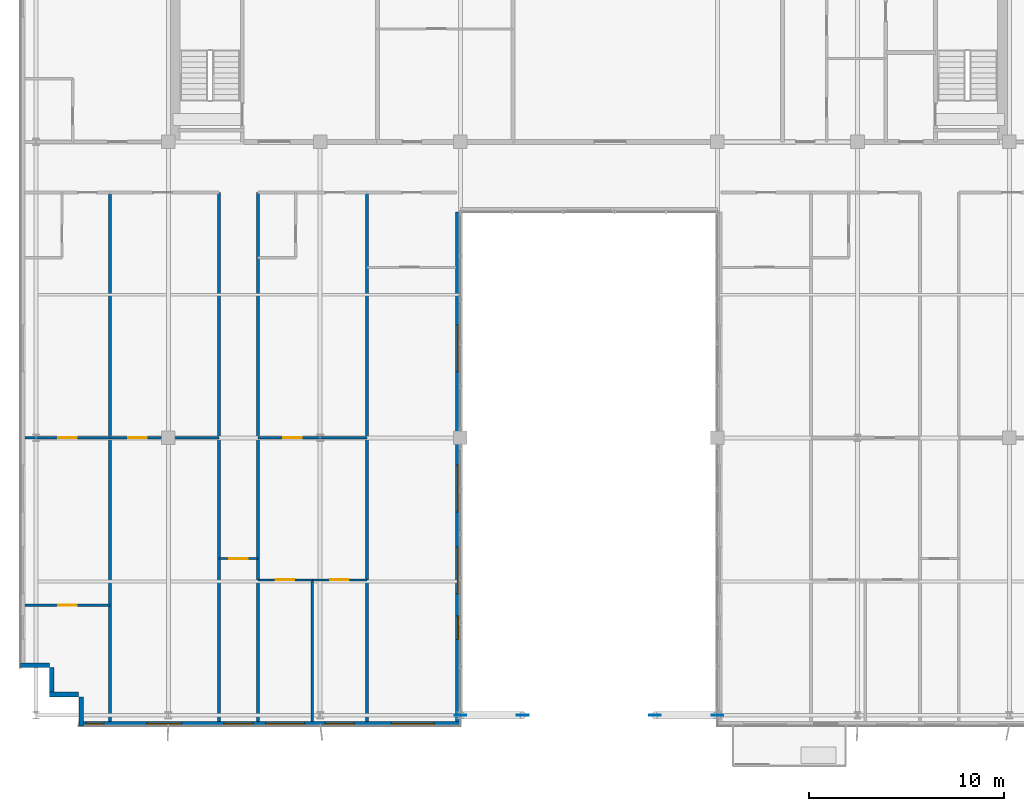
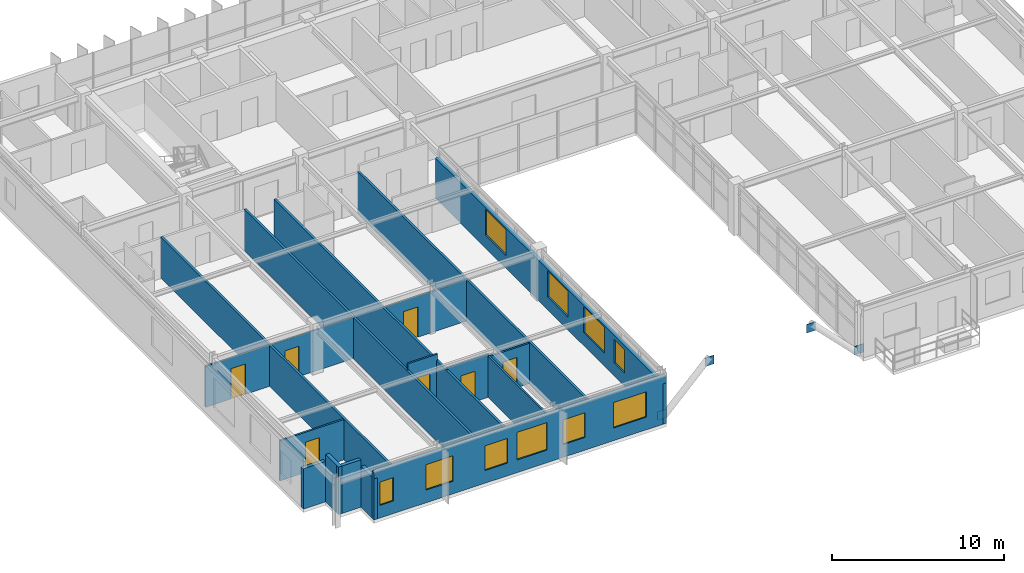
# One storey, part 27 of 34: 18 walls, 10 windows, 7 doors, 4 plates, 17 openings.
"""IFC4 building model written with IfcOpenShell, lengths in metres."""

from ifc_helpers import new_model, si_unit, direction, frame, frame_2d, origin, origin_2d, place, context, subcontext, project, spatial, rectangle, extrude, source, transform, mapped, material, layer, layer_set, type_object, element, fill, save


model = new_model("IFC4")

# Units and contexts
model_context = context("Model", 3, precision=1e-05, world=origin(), true_north=direction((0.0, 1.0)))
body_context = subcontext(model_context, "Body", "Model", "MODEL_VIEW")
ifc_project = project(units=[si_unit("LENGTHUNIT", "METRE"), si_unit("AREAUNIT", "SQUARE_METRE"), si_unit("VOLUMEUNIT", "CUBIC_METRE"), si_unit("PLANEANGLEUNIT", "RADIAN"), si_unit("MASSUNIT", "GRAM", prefix="KILO")], contexts=[model_context])

# Site, building, storey
site_placement = place(None, origin())
site = spatial("IfcSite", under=ifc_project, at=site_placement, CompositionType="ELEMENT")
building_placement = place(site_placement, origin())
building = spatial("IfcBuilding", under=site, at=building_placement, Name="Trelvane Seafront Commons", CompositionType="ELEMENT")
storey_placement = place(building_placement, frame((0.0, 0.0, 197.699951171875)))
storey = spatial("IfcBuildingStorey", under=building, at=storey_placement, Name="L51", CompositionType="ELEMENT", Elevation=197.699951171875)

# Plates
ifc_material_1 = material(Name="Steel SM355 (S355)", Category="steel")
ifc_layer_1 = layer(ifc_material_1, 0.031982421875, Name="STR-PLT-GUS2")
ifc_layer_set_1 = layer_set([ifc_layer_1], Name="Steel SM355 (S355)")
plate_type = type_object("IfcPlateType", Name="STR-PLT-GUS2", PredefinedType="SHEET", material=ifc_layer_set_1)
shared_shape_1 = source(origin(), body_context, "Body", "SweptSolid", [
    extrude(rectangle(XDim=0.60009765625, YDim=0.031982421875, at=origin_2d()), origin(), (0.0, 0.0, 1.0), 0.60009765625),
])
for number, where, z_axis, x_axis, name in (
    (1, (30.60009765625, 3.949951171875, -0.02001953125), (0.0, 0.0, 1.0), (1.0, 0.0, 0.0), "L51 Brace Connection Gusset Plate GP-111"),
    (2, (33.800048828125, 3.949951171875, 2.659912109375), (0.0, 0.0, 1.0), (1.0, 0.0, 0.0), "L51 Brace Connection Gusset Plate GP-112"),
    (3, (43.800048828125, 3.949951171875, -0.02001953125), (0.0, 0.0, 1.0), (1.0, 0.0, 0.0), "L51 Brace Connection Gusset Plate GP-113"),
    (4, (40.60009765625, 3.949951171875, 2.659912109375), (0.0, 0.0, 1.0), (1.0, 0.0, 0.0), "L51 Brace Connection Gusset Plate GP-114"),
):
    element("IfcPlate", number, at=place(storey_placement, frame(where, z_axis=z_axis, x_axis=x_axis)), inside=storey, type_object=plate_type, Name=name, PredefinedType="SHEET", context=body_context, shape_type="MappedRepresentation", body=[
        mapped(shared_shape_1, transform((0.0, 0.0, 0.0), x_axis=(1.0, 0.0, 0.0), y_axis=(0.0, 1.0, 0.0), z_axis=(0.0, 0.0, 1.0), scale=1.0)),
    ])

# Walls
ifc_material_2 = material(Name="Precast concrete C40/50", Category="concrete")
ifc_layer_2 = layer(ifc_material_2, 0.239990234375, Name="ARCH-WALL-EXT240")
ifc_layer_set_2 = layer_set([ifc_layer_2], Name="Precast concrete C40/50")
wall_type_1 = type_object("IfcWallType", Name="ARCH-WALL-EXT240", PredefinedType="SOLIDWALL", material=ifc_layer_set_2)
for number, where, z_axis, x_axis, name in (
    (5, (11.0, 5.02001953125, 0.0), (0.0, 0.0, 1.0), (-1.0, 0.0, 0.0), "EW-L51-01009"),
    (6, (9.6201171875, 4.89990234375, 0.0), (0.0, 0.0, 1.0), (0.0, 1.0, 0.0), "EW-L51-01010"),
):
    element("IfcWall", number, at=place(storey_placement, frame(where, z_axis=z_axis, x_axis=x_axis)), inside=storey, type_object=wall_type_1, Name=name, PredefinedType="SOLIDWALL", context=body_context, shape_type="SweptSolid", body=[
        extrude(rectangle(XDim=1.5, YDim=0.239990234375, at=frame_2d((0.75, 0.0))), origin(), (0.0, 0.0, 1.0), 3.360107421875),
    ])
wall_1_placement = place(storey_placement, frame((9.5, 6.52001953125, 0.0), z_axis=(0.0, 0.0, 1.0), x_axis=(-1.0, 0.0, 0.0)))
element("IfcWall", 7, at=wall_1_placement, inside=storey, type_object=wall_type_1, Name="EW-L51-01011", PredefinedType="SOLIDWALL", context=body_context, shape_type="SweptSolid", body=[
    extrude(rectangle(XDim=1.5, YDim=0.239990234375, at=frame_2d((0.75, 0.0))), origin(), (0.0, 0.0, 1.0), 2.860107421875),
])

# Wall, openings, windows
wall_2_placement = place(storey_placement, frame((30.47998046875, 29.800048828125, 0.0), z_axis=(0.0, 0.0, 1.0), x_axis=(0.0, -1.0, 0.0)))
wall_2 = element("IfcWall", 8, at=wall_2_placement, inside=storey, type_object=wall_type_1, Name="EW-L51-01029", PredefinedType="SOLIDWALL", context=body_context, shape_type="SweptSolid", body=[
    extrude(rectangle(XDim=26.400146484375, YDim=0.239990234375, at=frame_2d((13.2001953125, 0.0))), origin(), (0.0, 0.0, 1.0), 2.860107421875),
])
opening_1_placement = place(wall_2_placement, frame((20.75, 0.0, 0.919921875)))
opening_1 = element("IfcOpeningElement", 9, at=opening_1_placement, cuts=wall_2, Name="Opening W05", PredefinedType="OPENING", context=body_context, shape_type="SweptSolid", body=[
    extrude(rectangle(XDim=1.199951171875, YDim=1.64990234375, at=frame_2d((0.60009765625, 0.824951171875))), frame((0.0, 0.1298828125, 0.0), z_axis=(0.0, -1.0, 0.0), x_axis=(1.0, 0.0, 0.0)), (0.0, 0.0, 1.0), 0.260009765625),
])
opening_2_placement = place(wall_2_placement, frame((17.199951171875, 0.0, 0.919921875)))
opening_2 = element("IfcOpeningElement", 10, at=opening_2_placement, cuts=wall_2, Name="Opening W08", PredefinedType="OPENING", context=body_context, shape_type="SweptSolid", body=[
    extrude(rectangle(XDim=2.39990234375, YDim=1.840087890625, at=frame_2d((1.199951171875, 0.919921875))), frame((0.0, 0.1298828125, 0.0), z_axis=(0.0, -1.0, 0.0), x_axis=(1.0, 0.0, 0.0)), (0.0, 0.0, 1.0), 0.260009765625),
])
opening_3_placement = place(wall_2_placement, frame((13.0, 0.0, 0.919921875)))
opening_3 = element("IfcOpeningElement", 11, at=opening_3_placement, cuts=wall_2, Name="Opening W08", PredefinedType="OPENING", context=body_context, shape_type="SweptSolid", body=[
    extrude(rectangle(XDim=2.39990234375, YDim=1.840087890625, at=frame_2d((1.199951171875, 0.919921875))), frame((0.0, 0.1298828125, 0.0), z_axis=(0.0, -1.0, 0.0), x_axis=(1.0, 0.0, 0.0)), (0.0, 0.0, 1.0), 0.260009765625),
])
opening_4_placement = place(wall_2_placement, frame((5.800048828125, 0.0, 0.919921875)))
opening_4 = element("IfcOpeningElement", 12, at=opening_4_placement, cuts=wall_2, Name="Opening W08", PredefinedType="OPENING", context=body_context, shape_type="SweptSolid", body=[
    extrude(rectangle(XDim=2.39990234375, YDim=1.840087890625, at=frame_2d((1.199951171875, 0.919921875))), frame((0.0, 0.1298828125, 0.0), z_axis=(0.0, -1.0, 0.0), x_axis=(1.0, 0.0, 0.0)), (0.0, 0.0, 1.0), 0.260009765625),
])
ifc_material_3 = material(Name="Low-E coastal double glazing", Category="glass")
window_type_1 = type_object("IfcWindowType", Name="ARCH-WIN-W05", PartitioningType="SINGLE_PANEL", PredefinedType="WINDOW", material=ifc_material_3)
shared_shape_2 = source(origin(), body_context, "Body", "SweptSolid", [
    extrude(rectangle(XDim=1.199951171875, YDim=1.64990234375, at=frame_2d((0.60009765625, 0.824951171875))), frame((0.0, 0.030029296875, 0.0), z_axis=(0.0, -1.0, 0.0), x_axis=(1.0, 0.0, 0.0)), (0.0, 0.0, 1.0), 0.06005859375),
])
window_1_placement = place(opening_1_placement, origin())
window_1 = element("IfcWindow", 13, at=window_1_placement, inside=storey, type_object=window_type_1, Name="WIN-L51-EW-01226", OverallHeight=1.64990234375, OverallWidth=1.199951171875, PartitioningType="SINGLE_PANEL", PredefinedType="WINDOW", context=body_context, shape_type="MappedRepresentation", body=[
    mapped(shared_shape_2, transform((0.0, 0.0, 0.0), x_axis=(1.0, 0.0, 0.0), y_axis=(0.0, 1.0, 0.0), z_axis=(0.0, 0.0, 1.0), scale=1.0)),
])
fill(opening_1, window_1)
window_type_2 = type_object("IfcWindowType", Name="ARCH-WIN-W08", PartitioningType="SINGLE_PANEL", PredefinedType="WINDOW", material=ifc_material_3)
shared_shape_3 = source(origin(), body_context, "Body", "SweptSolid", [
    extrude(rectangle(XDim=2.39990234375, YDim=1.840087890625, at=frame_2d((1.199951171875, 0.919921875))), frame((0.0, 0.030029296875, 0.0), z_axis=(0.0, -1.0, 0.0), x_axis=(1.0, 0.0, 0.0)), (0.0, 0.0, 1.0), 0.06005859375),
])
window_2_placement = place(opening_2_placement, origin())
window_2 = element("IfcWindow", 14, at=window_2_placement, inside=storey, type_object=window_type_2, Name="WIN-L51-EW-01227", OverallHeight=1.840087890625, OverallWidth=2.39990234375, PartitioningType="SINGLE_PANEL", PredefinedType="WINDOW", context=body_context, shape_type="MappedRepresentation", body=[
    mapped(shared_shape_3, transform((0.0, 0.0, 0.0), x_axis=(1.0, 0.0, 0.0), y_axis=(0.0, 1.0, 0.0), z_axis=(0.0, 0.0, 1.0), scale=1.0)),
])
fill(opening_2, window_2)
window_3_placement = place(opening_3_placement, origin())
window_3 = element("IfcWindow", 15, at=window_3_placement, inside=storey, type_object=window_type_2, Name="WIN-L51-EW-01228", OverallHeight=1.840087890625, OverallWidth=2.39990234375, PartitioningType="SINGLE_PANEL", PredefinedType="WINDOW", context=body_context, shape_type="MappedRepresentation", body=[
    mapped(shared_shape_3, transform((0.0, 0.0, 0.0), x_axis=(1.0, 0.0, 0.0), y_axis=(0.0, 1.0, 0.0), z_axis=(0.0, 0.0, 1.0), scale=1.0)),
])
fill(opening_3, window_3)
window_4_placement = place(opening_4_placement, origin())
window_4 = element("IfcWindow", 16, at=window_4_placement, inside=storey, type_object=window_type_2, Name="WIN-L51-EW-01229", OverallHeight=1.840087890625, OverallWidth=2.39990234375, PartitioningType="SINGLE_PANEL", PredefinedType="WINDOW", context=body_context, shape_type="MappedRepresentation", body=[
    mapped(shared_shape_3, transform((0.0, 0.0, 0.0), x_axis=(1.0, 0.0, 0.0), y_axis=(0.0, 1.0, 0.0), z_axis=(0.0, 0.0, 1.0), scale=1.0)),
])
fill(opening_4, window_4)

wall_3_placement = place(storey_placement, frame((30.60009765625, 3.52001953125, 0.0), z_axis=(0.0, 0.0, 1.0), x_axis=(-1.0, 0.0, 0.0)))
wall_3 = element("IfcWall", 17, at=wall_3_placement, inside=storey, type_object=wall_type_1, Name="EW-L51-01030", PredefinedType="SOLIDWALL", context=body_context, shape_type="SweptSolid", body=[
    extrude(rectangle(XDim=19.60009765625, YDim=0.239990234375, at=frame_2d((9.800048828125, 0.0))), origin(), (0.0, 0.0, 1.0), 3.360107421875),
])
opening_5_placement = place(wall_3_placement, frame((1.344970703125, 0.0, 0.89990234375)))
opening_5 = element("IfcOpeningElement", 18, at=opening_5_placement, cuts=wall_3, Name="Opening W02", PredefinedType="OPENING", context=body_context, shape_type="SweptSolid", body=[
    extrude(rectangle(XDim=2.199951171875, YDim=1.800048828125, at=frame_2d((1.10009765625, 0.89990234375))), frame((0.0, 0.1298828125, 0.0), z_axis=(0.0, -1.0, 0.0), x_axis=(1.0, 0.0, 0.0)), (0.0, 0.0, 1.0), 0.260009765625),
])
opening_6_placement = place(wall_3_placement, frame((5.449951171875, 0.0, 0.89990234375)))
opening_6 = element("IfcOpeningElement", 19, at=opening_6_placement, cuts=wall_3, Name="Opening W03", PredefinedType="OPENING", context=body_context, shape_type="SweptSolid", body=[
    extrude(rectangle(XDim=1.5, YDim=1.75, at=frame_2d((0.75, 0.875))), frame((0.0, 0.1298828125, 0.0), z_axis=(0.0, -1.0, 0.0), x_axis=(1.0, 0.0, 0.0)), (0.0, 0.0, 1.0), 0.260009765625),
])
opening_7_placement = place(wall_3_placement, frame((8.0, 0.0, 0.89990234375)))
opening_7 = element("IfcOpeningElement", 20, at=opening_7_placement, cuts=wall_3, Name="Opening W06", PredefinedType="OPENING", context=body_context, shape_type="SweptSolid", body=[
    extrude(rectangle(XDim=2.0, YDim=1.949951171875, at=frame_2d((1.0, 0.97509765625))), frame((0.0, 0.1298828125, 0.0), z_axis=(0.0, -1.0, 0.0), x_axis=(1.0, 0.0, 0.0)), (0.0, 0.0, 1.0), 0.260009765625),
])
opening_8_placement = place(wall_3_placement, frame((10.64990234375, 0.0, 0.89990234375)))
opening_8 = element("IfcOpeningElement", 21, at=opening_8_placement, cuts=wall_3, Name="Opening W03", PredefinedType="OPENING", context=body_context, shape_type="SweptSolid", body=[
    extrude(rectangle(XDim=1.5, YDim=1.75, at=frame_2d((0.75, 0.875))), frame((0.0, 0.1298828125, 0.0), z_axis=(0.0, -1.0, 0.0), x_axis=(1.0, 0.0, 0.0)), (0.0, 0.0, 1.0), 0.260009765625),
])
opening_9_placement = place(wall_3_placement, frame((14.300048828125, 0.0, 0.89990234375)))
opening_9 = element("IfcOpeningElement", 22, at=opening_9_placement, cuts=wall_3, Name="Opening W01", PredefinedType="OPENING", context=body_context, shape_type="SweptSolid", body=[
    extrude(rectangle(XDim=1.800048828125, YDim=1.800048828125, at=frame_2d((0.89990234375, 0.89990234375))), frame((0.0, 0.1298828125, 0.0), z_axis=(0.0, -1.0, 0.0), x_axis=(1.0, 0.0, 0.0)), (0.0, 0.0, 1.0), 0.260009765625),
])
opening_10_placement = place(wall_3_placement, frame((18.304931640625, 0.0, 0.89990234375)))
opening_10 = element("IfcOpeningElement", 23, at=opening_10_placement, cuts=wall_3, Name="Opening W11", PredefinedType="OPENING", context=body_context, shape_type="SweptSolid", body=[
    extrude(rectangle(XDim=0.89990234375, YDim=1.64990234375, at=frame_2d((0.449951171875, 0.824951171875))), frame((0.0, 0.1298828125, 0.0), z_axis=(0.0, -1.0, 0.0), x_axis=(1.0, 0.0, 0.0)), (0.0, 0.0, 1.0), 0.260009765625),
])
window_type_3 = type_object("IfcWindowType", Name="ARCH-WIN-W02", PartitioningType="SINGLE_PANEL", PredefinedType="WINDOW", material=ifc_material_3)
shared_shape_4 = source(origin(), body_context, "Body", "SweptSolid", [
    extrude(rectangle(XDim=2.199951171875, YDim=1.800048828125, at=frame_2d((1.10009765625, 0.89990234375))), frame((0.0, 0.030029296875, 0.0), z_axis=(0.0, -1.0, 0.0), x_axis=(1.0, 0.0, 0.0)), (0.0, 0.0, 1.0), 0.06005859375),
])
window_5_placement = place(opening_5_placement, origin())
window_5 = element("IfcWindow", 24, at=window_5_placement, inside=storey, type_object=window_type_3, Name="WIN-L51-01230", OverallHeight=1.800048828125, OverallWidth=2.199951171875, PartitioningType="SINGLE_PANEL", PredefinedType="WINDOW", context=body_context, shape_type="MappedRepresentation", body=[
    mapped(shared_shape_4, transform((0.0, 0.0, 0.0), x_axis=(1.0, 0.0, 0.0), y_axis=(0.0, 1.0, 0.0), z_axis=(0.0, 0.0, 1.0), scale=1.0)),
])
fill(opening_5, window_5)
window_type_4 = type_object("IfcWindowType", Name="ARCH-WIN-W03", PartitioningType="SINGLE_PANEL", PredefinedType="WINDOW", material=ifc_material_3)
shared_shape_5 = source(origin(), body_context, "Body", "SweptSolid", [
    extrude(rectangle(XDim=1.5, YDim=1.75, at=frame_2d((0.75, 0.875))), frame((0.0, 0.030029296875, 0.0), z_axis=(0.0, -1.0, 0.0), x_axis=(1.0, 0.0, 0.0)), (0.0, 0.0, 1.0), 0.06005859375),
])
window_6_placement = place(opening_6_placement, origin())
window_6 = element("IfcWindow", 25, at=window_6_placement, inside=storey, type_object=window_type_4, Name="WIN-L51-01231", OverallHeight=1.75, OverallWidth=1.5, PartitioningType="SINGLE_PANEL", PredefinedType="WINDOW", context=body_context, shape_type="MappedRepresentation", body=[
    mapped(shared_shape_5, transform((0.0, 0.0, 0.0), x_axis=(1.0, 0.0, 0.0), y_axis=(0.0, 1.0, 0.0), z_axis=(0.0, 0.0, 1.0), scale=1.0)),
])
fill(opening_6, window_6)
window_7_placement = place(opening_8_placement, origin())
window_7 = element("IfcWindow", 26, at=window_7_placement, inside=storey, type_object=window_type_4, Name="WIN-L51-01233", OverallHeight=1.75, OverallWidth=1.5, PartitioningType="SINGLE_PANEL", PredefinedType="WINDOW", context=body_context, shape_type="MappedRepresentation", body=[
    mapped(shared_shape_5, transform((0.0, 0.0, 0.0), x_axis=(1.0, 0.0, 0.0), y_axis=(0.0, 1.0, 0.0), z_axis=(0.0, 0.0, 1.0), scale=1.0)),
])
fill(opening_8, window_7)
window_type_5 = type_object("IfcWindowType", Name="ARCH-WIN-W06", PartitioningType="SINGLE_PANEL", PredefinedType="WINDOW", material=ifc_material_3)
shared_shape_6 = source(origin(), body_context, "Body", "SweptSolid", [
    extrude(rectangle(XDim=2.0, YDim=1.949951171875, at=frame_2d((1.0, 0.97509765625))), frame((0.0, 0.030029296875, 0.0), z_axis=(0.0, -1.0, 0.0), x_axis=(1.0, 0.0, 0.0)), (0.0, 0.0, 1.0), 0.06005859375),
])
window_8_placement = place(opening_7_placement, origin())
window_8 = element("IfcWindow", 27, at=window_8_placement, inside=storey, type_object=window_type_5, Name="WIN-L51-01232", OverallHeight=1.949951171875, OverallWidth=2.0, PartitioningType="SINGLE_PANEL", PredefinedType="WINDOW", context=body_context, shape_type="MappedRepresentation", body=[
    mapped(shared_shape_6, transform((0.0, 0.0, 0.0), x_axis=(1.0, 0.0, 0.0), y_axis=(0.0, 1.0, 0.0), z_axis=(0.0, 0.0, 1.0), scale=1.0)),
])
fill(opening_7, window_8)
window_type_6 = type_object("IfcWindowType", Name="ARCH-WIN-W01", PartitioningType="SINGLE_PANEL", PredefinedType="WINDOW", material=ifc_material_3)
shared_shape_7 = source(origin(), body_context, "Body", "SweptSolid", [
    extrude(rectangle(XDim=1.800048828125, YDim=1.800048828125, at=frame_2d((0.89990234375, 0.89990234375))), frame((0.0, 0.030029296875, 0.0), z_axis=(0.0, -1.0, 0.0), x_axis=(1.0, 0.0, 0.0)), (0.0, 0.0, 1.0), 0.06005859375),
])
window_9_placement = place(opening_9_placement, origin())
window_9 = element("IfcWindow", 28, at=window_9_placement, inside=storey, type_object=window_type_6, Name="WIN-L51-01234", OverallHeight=1.800048828125, OverallWidth=1.800048828125, PartitioningType="SINGLE_PANEL", PredefinedType="WINDOW", context=body_context, shape_type="MappedRepresentation", body=[
    mapped(shared_shape_7, transform((0.0, 0.0, 0.0), x_axis=(1.0, 0.0, 0.0), y_axis=(0.0, 1.0, 0.0), z_axis=(0.0, 0.0, 1.0), scale=1.0)),
])
fill(opening_9, window_9)
window_type_7 = type_object("IfcWindowType", Name="ARCH-WIN-W11", PartitioningType="SINGLE_PANEL", PredefinedType="WINDOW", material=ifc_material_3)
shared_shape_8 = source(origin(), body_context, "Body", "SweptSolid", [
    extrude(rectangle(XDim=0.89990234375, YDim=1.64990234375, at=frame_2d((0.449951171875, 0.824951171875))), frame((0.0, 0.030029296875, 0.0), z_axis=(0.0, -1.0, 0.0), x_axis=(1.0, 0.0, 0.0)), (0.0, 0.0, 1.0), 0.06005859375),
])
window_10_placement = place(opening_10_placement, origin())
window_10 = element("IfcWindow", 29, at=window_10_placement, inside=storey, type_object=window_type_7, Name="WIN-L51-01235", OverallHeight=1.64990234375, OverallWidth=0.89990234375, PartitioningType="SINGLE_PANEL", PredefinedType="WINDOW", context=body_context, shape_type="MappedRepresentation", body=[
    mapped(shared_shape_8, transform((0.0, 0.0, 0.0), x_axis=(1.0, 0.0, 0.0), y_axis=(0.0, 1.0, 0.0), z_axis=(0.0, 0.0, 1.0), scale=1.0)),
])
fill(opening_10, window_10)

# Wall
wall_4_placement = place(storey_placement, frame((11.1201171875, 3.39990234375, 0.0), z_axis=(0.0, 0.0, 1.0), x_axis=(0.0, 1.0, 0.0)))
element("IfcWall", 30, at=wall_4_placement, inside=storey, type_object=wall_type_1, Name="EW-L51-01031", PredefinedType="SOLIDWALL", context=body_context, shape_type="SweptSolid", body=[
    extrude(rectangle(XDim=1.5, YDim=0.239990234375, at=frame_2d((0.75, 0.0))), origin(), (0.0, 0.0, 1.0), 2.91015625),
])

# Wall, opening, door
ifc_material_4 = material(Name="Gypsum Drywall Acoustic Partition")
ifc_layer_3 = layer(ifc_material_4, 0.1201171875, Name="ARCH-WALL-PART120")
ifc_layer_set_3 = layer_set([ifc_layer_3], Name="Gypsum Drywall Acoustic Partition")
wall_type_2 = type_object("IfcWallType", Name="ARCH-WALL-PART120", PredefinedType="PARTITIONING", material=ifc_layer_set_3)
wall_5_placement = place(storey_placement, frame((8.239990234375, 18.199951171875, 0.0), z_axis=(0.0, 0.0, 1.0), x_axis=(1.0, 0.0, 0.0)))
wall_5 = element("IfcWall", 31, at=wall_5_placement, inside=storey, type_object=wall_type_2, Name="W-L51-U1-KL-050", PredefinedType="PARTITIONING", context=body_context, shape_type="SweptSolid", body=[
    extrude(rectangle(XDim=4.360107421875, YDim=0.1201171875, at=frame_2d((2.18017578125, 0.0))), origin(), (0.0, 0.0, 1.0), 2.91015625),
])
opening_11_placement = place(wall_5_placement, frame((1.705078125, 0.0, 0.0)))
opening_11 = element("IfcOpeningElement", 32, at=opening_11_placement, cuts=wall_5, Name="Opening D-L51-28", PredefinedType="OPENING", context=body_context, shape_type="SweptSolid", body=[
    extrude(rectangle(XDim=0.949951171875, YDim=2.14990234375, at=frame_2d((0.47509765625, 1.074951171875))), frame((0.0, 0.070068359375, 0.0), z_axis=(0.0, -1.0, 0.0), x_axis=(1.0, 0.0, 0.0)), (0.0, 0.0, 1.0), 0.14013671875),
])
ifc_material_5 = material(Name="Acoustic timber door leaf", Category="wood")
door_type = type_object("IfcDoorType", Name="ARCH-DR-INT950", OperationType="NOTDEFINED", PredefinedType="DOOR", material=ifc_material_5)
shared_shape_9 = source(origin(), body_context, "Body", "SweptSolid", [
    extrude(rectangle(XDim=0.949951171875, YDim=2.14990234375, at=frame_2d((0.47509765625, 1.074951171875))), frame((0.0, 0.02490234375, 0.0), z_axis=(0.0, -1.0, 0.0), x_axis=(1.0, 0.0, 0.0)), (0.0, 0.0, 1.0), 0.050048828125),
])
door_1_placement = place(opening_11_placement, origin())
door_1 = element("IfcDoor", 33, at=door_1_placement, inside=storey, type_object=door_type, Name="L51 Door 28", OperationType="SINGLE_SWING_RIGHT", OverallHeight=2.14990234375, OverallWidth=0.949951171875, PredefinedType="DOOR", context=body_context, shape_type="MappedRepresentation", body=[
    mapped(shared_shape_9, transform((0.0, 0.0, 0.0), x_axis=(1.0, 0.0, 0.0), y_axis=(0.0, 1.0, 0.0), z_axis=(0.0, 0.0, 1.0), scale=1.0)),
])
fill(opening_11, door_1)

wall_6_placement = place(storey_placement, frame((8.239990234375, 9.60009765625, 0.0), z_axis=(0.0, 0.0, 1.0), x_axis=(1.0, 0.0, 0.0)))
wall_6 = element("IfcWall", 34, at=wall_6_placement, inside=storey, type_object=wall_type_2, Name="W-L51-U1-YM-1-054", PredefinedType="PARTITIONING", context=body_context, shape_type="SweptSolid", body=[
    extrude(rectangle(XDim=4.360107421875, YDim=0.1201171875, at=frame_2d((2.18017578125, 0.0))), origin(), (0.0, 0.0, 1.0), 2.860107421875),
])
opening_12_placement = place(wall_6_placement, frame((1.705078125, 0.0, 0.0)))
opening_12 = element("IfcOpeningElement", 35, at=opening_12_placement, cuts=wall_6, Name="Opening D-L51-31", PredefinedType="OPENING", context=body_context, shape_type="SweptSolid", body=[
    extrude(rectangle(XDim=0.949951171875, YDim=2.14990234375, at=frame_2d((0.47509765625, 1.074951171875))), frame((0.0, 0.070068359375, 0.0), z_axis=(0.0, -1.0, 0.0), x_axis=(1.0, 0.0, 0.0)), (0.0, 0.0, 1.0), 0.14013671875),
])
door_2_placement = place(opening_12_placement, origin())
door_2 = element("IfcDoor", 36, at=door_2_placement, inside=storey, type_object=door_type, Name="L51 Door 31", OperationType="SINGLE_SWING_LEFT", OverallHeight=2.14990234375, OverallWidth=0.949951171875, PredefinedType="DOOR", context=body_context, shape_type="MappedRepresentation", body=[
    mapped(shared_shape_9, transform((0.0, 0.0, 0.0), x_axis=(1.0, 0.0, 0.0), y_axis=(0.0, 1.0, 0.0), z_axis=(0.0, 0.0, 1.0), scale=1.0)),
])
fill(opening_12, door_2)

wall_7_placement = place(storey_placement, frame((12.60009765625, 18.199951171875, 0.0), z_axis=(0.0, 0.0, 1.0), x_axis=(1.0, 0.0, 0.0)))
wall_7 = element("IfcWall", 37, at=wall_7_placement, inside=storey, type_object=wall_type_2, Name="W-L51-U2-DIV-056", PredefinedType="PARTITIONING", context=body_context, shape_type="SweptSolid", body=[
    extrude(rectangle(XDim=5.599853515625, YDim=0.1201171875, at=frame_2d((2.7998046875, 0.0))), origin(), (0.0, 0.0, 1.0), 2.91015625),
])
opening_13_placement = place(wall_7_placement, frame((0.93603515625, 0.0, 0.0)))
opening_13 = element("IfcOpeningElement", 38, at=opening_13_placement, cuts=wall_7, Name="Opening D-L51-33", PredefinedType="OPENING", context=body_context, shape_type="SweptSolid", body=[
    extrude(rectangle(XDim=0.949951171875, YDim=2.14990234375, at=frame_2d((0.47509765625, 1.074951171875))), frame((0.0, 0.070068359375, 0.0), z_axis=(0.0, -1.0, 0.0), x_axis=(1.0, 0.0, 0.0)), (0.0, 0.0, 1.0), 0.14013671875),
])
door_3_placement = place(opening_13_placement, origin())
door_3 = element("IfcDoor", 39, at=door_3_placement, inside=storey, type_object=door_type, Name="L51 Door 33", OperationType="SINGLE_SWING_LEFT", OverallHeight=2.14990234375, OverallWidth=0.949951171875, PredefinedType="DOOR", context=body_context, shape_type="MappedRepresentation", body=[
    mapped(shared_shape_9, transform((0.0, 0.0, 0.0), x_axis=(1.0, 0.0, 0.0), y_axis=(0.0, 1.0, 0.0), z_axis=(0.0, 0.0, 1.0), scale=1.0)),
])
fill(opening_13, door_3)

wall_8_placement = place(storey_placement, frame((18.199951171875, 12.0, 0.0), z_axis=(0.0, 0.0, 1.0), x_axis=(1.0, 0.0, 0.0)))
wall_8 = element("IfcWall", 40, at=wall_8_placement, inside=storey, type_object=wall_type_2, Name="W-L51-ARM-END-3-059", PredefinedType="PARTITIONING", context=body_context, shape_type="SweptSolid", body=[
    extrude(rectangle(XDim=2.0, YDim=0.1201171875, at=frame_2d((1.0, 0.0))), origin(), (0.0, 0.0, 1.0), 3.360107421875),
])
opening_14_placement = place(wall_8_placement, frame((0.52001953125, 0.0, 0.0)))
opening_14 = element("IfcOpeningElement", 41, at=opening_14_placement, cuts=wall_8, Name="Opening D-L51-34", PredefinedType="OPENING", context=body_context, shape_type="SweptSolid", body=[
    extrude(rectangle(XDim=0.949951171875, YDim=2.14990234375, at=frame_2d((0.47509765625, 1.074951171875))), frame((0.0, 0.070068359375, 0.0), z_axis=(0.0, -1.0, 0.0), x_axis=(1.0, 0.0, 0.0)), (0.0, 0.0, 1.0), 0.14013671875),
])
door_4_placement = place(opening_14_placement, origin())
door_4 = element("IfcDoor", 42, at=door_4_placement, inside=storey, type_object=door_type, Name="L51 Door 34", OperationType="SINGLE_SWING_RIGHT", OverallHeight=2.14990234375, OverallWidth=0.949951171875, PredefinedType="DOOR", context=body_context, shape_type="MappedRepresentation", body=[
    mapped(shared_shape_9, transform((0.0, 0.0, 0.0), x_axis=(1.0, 0.0, 0.0), y_axis=(0.0, 1.0, 0.0), z_axis=(0.0, 0.0, 1.0), scale=1.0)),
])
fill(opening_14, door_4)

wall_9_placement = place(storey_placement, frame((20.199951171875, 18.199951171875, 0.0), z_axis=(0.0, 0.0, 1.0), x_axis=(1.0, 0.0, 0.0)))
wall_9 = element("IfcWall", 43, at=wall_9_placement, inside=storey, type_object=wall_type_2, Name="W-L51-U4-KL-060", PredefinedType="PARTITIONING", context=body_context, shape_type="SweptSolid", body=[
    extrude(rectangle(XDim=5.60009765625, YDim=0.1201171875, at=frame_2d((2.800048828125, 0.0))), origin(), (0.0, 0.0, 1.0), 2.91015625),
])
opening_15_placement = place(wall_9_placement, frame((1.305908203125, 0.0, 0.0)))
opening_15 = element("IfcOpeningElement", 44, at=opening_15_placement, cuts=wall_9, Name="Opening D-L51-35", PredefinedType="OPENING", context=body_context, shape_type="SweptSolid", body=[
    extrude(rectangle(XDim=0.949951171875, YDim=2.14990234375, at=frame_2d((0.47509765625, 1.074951171875))), frame((0.0, 0.070068359375, 0.0), z_axis=(0.0, -1.0, 0.0), x_axis=(1.0, 0.0, 0.0)), (0.0, 0.0, 1.0), 0.14013671875),
])
door_5_placement = place(opening_15_placement, origin())
door_5 = element("IfcDoor", 45, at=door_5_placement, inside=storey, type_object=door_type, Name="L51 Door 35", OperationType="SINGLE_SWING_LEFT", OverallHeight=2.14990234375, OverallWidth=0.949951171875, PredefinedType="DOOR", context=body_context, shape_type="MappedRepresentation", body=[
    mapped(shared_shape_9, transform((0.0, 0.0, 0.0), x_axis=(1.0, 0.0, 0.0), y_axis=(0.0, 1.0, 0.0), z_axis=(0.0, 0.0, 1.0), scale=1.0)),
])
fill(opening_15, door_5)

wall_10_placement = place(storey_placement, frame((20.199951171875, 10.89990234375, 0.0), z_axis=(0.0, 0.0, 1.0), x_axis=(1.0, 0.0, 0.0)))
wall_10 = element("IfcWall", 46, at=wall_10_placement, inside=storey, type_object=wall_type_2, Name="W-L51-U4-YM-1-064", PredefinedType="PARTITIONING", context=body_context, shape_type="SweptSolid", body=[
    extrude(rectangle(XDim=2.800048828125, YDim=0.1201171875, at=frame_2d((1.39990234375, 0.0))), origin(), (0.0, 0.0, 1.0), 3.06005859375),
])
opening_16_placement = place(wall_10_placement, frame((0.925048828125, 0.0, 0.0)))
opening_16 = element("IfcOpeningElement", 47, at=opening_16_placement, cuts=wall_10, Name="Opening D-L51-38", PredefinedType="OPENING", context=body_context, shape_type="SweptSolid", body=[
    extrude(rectangle(XDim=0.949951171875, YDim=2.14990234375, at=frame_2d((0.47509765625, 1.074951171875))), frame((0.0, 0.070068359375, 0.0), z_axis=(0.0, -1.0, 0.0), x_axis=(1.0, 0.0, 0.0)), (0.0, 0.0, 1.0), 0.14013671875),
])
door_6_placement = place(opening_16_placement, origin())
door_6 = element("IfcDoor", 48, at=door_6_placement, inside=storey, type_object=door_type, Name="L51 Door 38", OperationType="SINGLE_SWING_RIGHT", OverallHeight=2.14990234375, OverallWidth=0.949951171875, PredefinedType="DOOR", context=body_context, shape_type="MappedRepresentation", body=[
    mapped(shared_shape_9, transform((0.0, 0.0, 0.0), x_axis=(1.0, 0.0, 0.0), y_axis=(0.0, 1.0, 0.0), z_axis=(0.0, 0.0, 1.0), scale=1.0)),
])
fill(opening_16, door_6)

wall_11_placement = place(storey_placement, frame((23.0, 10.89990234375, 0.0), z_axis=(0.0, 0.0, 1.0), x_axis=(1.0, 0.0, 0.0)))
wall_11 = element("IfcWall", 49, at=wall_11_placement, inside=storey, type_object=wall_type_2, Name="W-L51-U4-YM-2-065", PredefinedType="PARTITIONING", context=body_context, shape_type="SweptSolid", body=[
    extrude(rectangle(XDim=2.800048828125, YDim=0.1201171875, at=frame_2d((1.39990234375, 0.0))), origin(), (0.0, 0.0, 1.0), 2.860107421875),
])
opening_17_placement = place(wall_11_placement, frame((0.925048828125, 0.0, 0.0)))
opening_17 = element("IfcOpeningElement", 50, at=opening_17_placement, cuts=wall_11, Name="Opening D-L51-39", PredefinedType="OPENING", context=body_context, shape_type="SweptSolid", body=[
    extrude(rectangle(XDim=0.949951171875, YDim=2.14990234375, at=frame_2d((0.47509765625, 1.074951171875))), frame((0.0, 0.070068359375, 0.0), z_axis=(0.0, -1.0, 0.0), x_axis=(1.0, 0.0, 0.0)), (0.0, 0.0, 1.0), 0.14013671875),
])
door_7_placement = place(opening_17_placement, origin())
door_7 = element("IfcDoor", 51, at=door_7_placement, inside=storey, type_object=door_type, Name="L51 Door 39", OperationType="SINGLE_SWING_LEFT", OverallHeight=2.14990234375, OverallWidth=0.949951171875, PredefinedType="DOOR", context=body_context, shape_type="MappedRepresentation", body=[
    mapped(shared_shape_9, transform((0.0, 0.0, 0.0), x_axis=(1.0, 0.0, 0.0), y_axis=(0.0, 1.0, 0.0), z_axis=(0.0, 0.0, 1.0), scale=1.0)),
])
fill(opening_17, door_7)

# Walls
wall_12_placement = place(storey_placement, frame((23.0, 3.625, 0.0), z_axis=(0.0, 0.0, 1.0), x_axis=(0.0, 1.0, 0.0)))
element("IfcWall", 52, at=wall_12_placement, inside=storey, type_object=wall_type_2, Name="W-L51-U4-BDV-1-066", PredefinedType="PARTITIONING", context=body_context, shape_type="SweptSolid", body=[
    extrude(rectangle(XDim=7.27490234375, YDim=0.1201171875, at=frame_2d((3.637451171875, 0.0))), origin(), (0.0, 0.0, 1.0), 2.91015625),
])
ifc_layer_4 = layer(ifc_material_4, 0.14990234375, Name="ARCH-WALL-PART150")
ifc_layer_set_4 = layer_set([ifc_layer_4], Name="Gypsum Drywall Acoustic Partition")
wall_type_3 = type_object("IfcWallType", Name="ARCH-WALL-PART150", PredefinedType="PARTITIONING", material=ifc_layer_set_4)
for number, where, z_axis, x_axis, name in (
    (53, (12.60009765625, 3.625, 0.0), (0.0, 0.0, 1.0), (0.0, 1.0, 0.0), "W-L51-PW-1-046"),
    (54, (25.800048828125, 3.625, 0.0), (0.0, 0.0, 1.0), (0.0, 1.0, 0.0), "W-L51-PW-4-047"),
    (55, (18.199951171875, 3.625, 0.0), (0.0, 0.0, 1.0), (0.0, 1.0, 0.0), "W-L51-ARM-W-3-057"),
    (56, (20.199951171875, 3.625, 0.0), (0.0, 0.0, 1.0), (0.0, 1.0, 0.0), "W-L51-ARM-E-3-058"),
):
    element("IfcWall", number, at=place(storey_placement, frame(where, z_axis=z_axis, x_axis=x_axis)), inside=storey, type_object=wall_type_3, Name=name, PredefinedType="PARTITIONING", context=body_context, shape_type="SweptSolid", body=[
        extrude(rectangle(XDim=27.175048828125, YDim=0.14990234375, at=frame_2d((13.58740234375, 0.0))), origin(), (0.0, 0.0, 1.0), 2.91015625),
    ])

save(model, "model.ifc")
